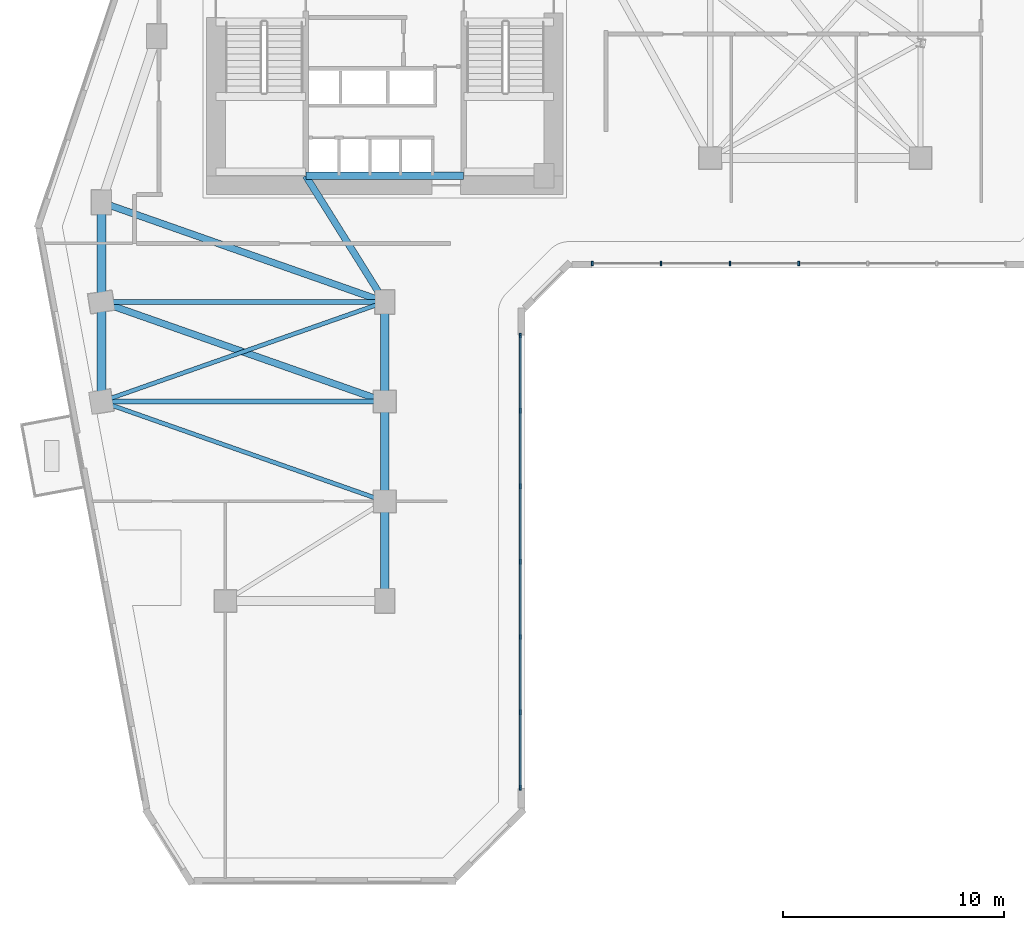
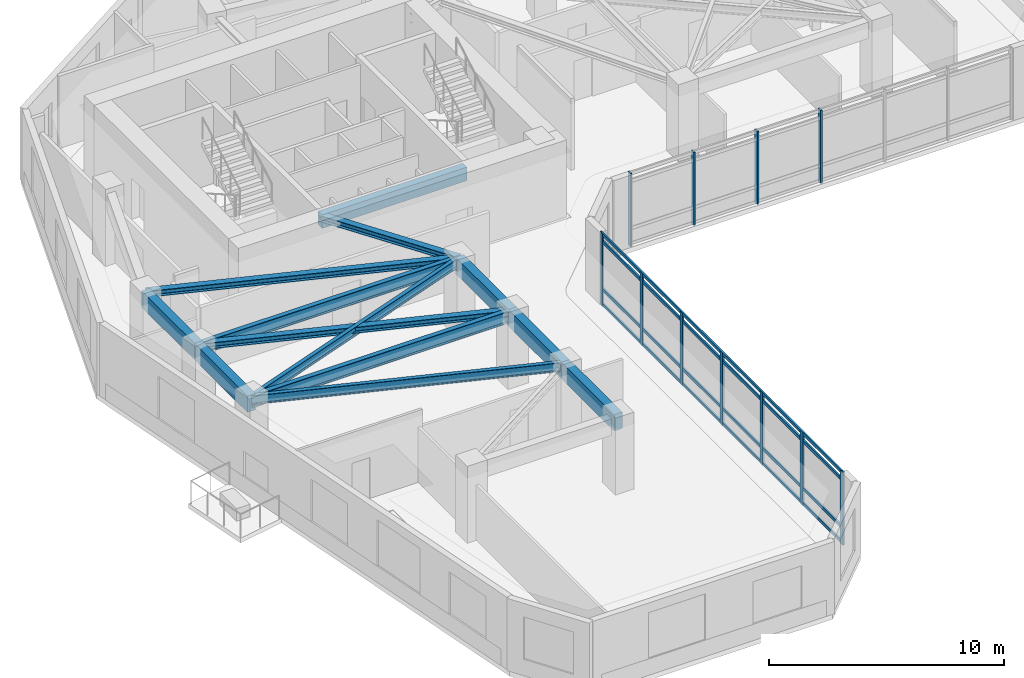
# One storey, part 2 of 9: 15 members, 13 beams, 2 elements without a shape of their own.
"""IFC4 building model written with IfcOpenShell, lengths in metres."""

import ifcopenshell
import ifcopenshell.guid

model = None  # the IFC model being written
_history = None  # IfcOwnerHistory: only IFC2X3 demands one
_inside = {}  # id of a spatial element -> (the spatial element, [elements in it])
_under = {}  # id of a project, library or spatial element -> (it, [spatial elements below it])
_declared = {}  # id of a project -> (the project, [libraries it declares])
_typed = {}  # id of a type object -> (the type object, [elements of that type])
_made_of = {}  # id of a material, layer set ... -> (it, [elements and type objects made of it])


def new_model(schema):
    """Start an empty IFC model of exactly this schema.

    Asked for "IFC4X3", IfcOpenShell would pick the latest addendum, in which some entities
    have other attributes; the version numbers below select the first issue.
    IFC2X3 requires an IfcOwnerHistory on every rooted entity: one is made here for all.
    """
    global model, _history
    if schema == "IFC4X3":
        model = ifcopenshell.file(schema_version=(4, 3, 0, 0))
    else:
        model = ifcopenshell.file(schema=schema)
    _inside.clear()
    _under.clear()
    _declared.clear()
    _typed.clear()
    _made_of.clear()
    _history = None
    if model.schema == "IFC2X3":
        org = make("IfcOrganization", Name="unknown")
        user = make(
            "IfcPersonAndOrganization",
            ThePerson=make("IfcPerson", FamilyName="unknown"),
            TheOrganization=org,
        )
        app = make(
            "IfcApplication",
            ApplicationDeveloper=org,
            Version="unknown",
            ApplicationFullName="unknown",
            ApplicationIdentifier="unknown",
        )
        _history = make(
            "IfcOwnerHistory",
            OwningUser=user,
            OwningApplication=app,
            ChangeAction="ADDED",
            CreationDate=0,
        )
    return model


def make(cls, **values):
    """One entity of the class cls with the attributes given. An attribute that is None is left unset."""
    return model.create_entity(
        cls, **{name: value for name, value in values.items() if value is not None}
    )


def rooted(cls, **values):
    """An entity with a GlobalId (a new one), such as an element, a storey or a relation."""
    return make(cls, GlobalId=ifcopenshell.guid.new(), OwnerHistory=_history, **values)


def si_unit(unit_type, name, prefix=None):
    """IfcSIUnit, for example si_unit("LENGTHUNIT", "METRE", prefix="MILLI")."""
    return make("IfcSIUnit", UnitType=unit_type, Prefix=prefix, Name=name)


def assignment(units):
    """IfcUnitAssignment: the units of a project."""
    return None if units is None else make("IfcUnitAssignment", Units=units)


def point(xyz):
    """IfcCartesianPoint."""
    return None if xyz is None else make("IfcCartesianPoint", Coordinates=xyz)


def direction(xyz):
    """IfcDirection."""
    return None if xyz is None else make("IfcDirection", DirectionRatios=xyz)


def frame(location, z_axis=None, x_axis=None):
    """IfcAxis2Placement3D, a coordinate frame: its origin and axes. An axis left out is left unset."""
    return make(
        "IfcAxis2Placement3D",
        Location=point(location),
        Axis=direction(z_axis),
        RefDirection=direction(x_axis),
    )


def frame_2d(location, x_axis=None):
    """IfcAxis2Placement2D, a coordinate frame in the plane: its origin and x axis."""
    return make(
        "IfcAxis2Placement2D", Location=point(location), RefDirection=direction(x_axis)
    )


def origin():
    """The frame at (0, 0, 0) with its axes left unset."""
    return frame((0.0, 0.0, 0.0))


def origin_2d():
    """The frame at (0, 0) in the plane with its x axis left unset."""
    return frame_2d((0.0, 0.0))


def place(relative_to, where):
    """IfcLocalPlacement: puts the frame where relative to a parent placement (None: the world)."""
    return make(
        "IfcLocalPlacement", PlacementRelTo=relative_to, RelativePlacement=where
    )


def context(
    kind, dimensions, precision=None, world=None, true_north=None, identifier=None
):
    """IfcGeometricRepresentationContext, for example the 3D "Model" context."""
    return make(
        "IfcGeometricRepresentationContext",
        ContextIdentifier=identifier,
        ContextType=kind,
        CoordinateSpaceDimension=dimensions,
        Precision=precision,
        WorldCoordinateSystem=world,
        TrueNorth=true_north,
    )


def subcontext(parent, identifier, kind, view, scale=None):
    """IfcGeometricRepresentationSubContext, for example "Body" below "Model"."""
    return make(
        "IfcGeometricRepresentationSubContext",
        ContextIdentifier=identifier,
        ContextType=kind,
        ParentContext=parent,
        TargetScale=scale,
        TargetView=view,
    )


def project(units=None, contexts=None):
    """IfcProject with its units and contexts."""
    return rooted(
        "IfcProject",
        Name="project",
        RepresentationContexts=contexts,
        UnitsInContext=assignment(units),
    )


def spatial(cls, under=None, at=None, **own):
    """A site, building, storey or space (cls), placed at a placement, below another one or the project."""
    s = rooted(cls, ObjectPlacement=at, **own)
    if under is not None:
        _under.setdefault(under.id(), (under, []))[1].append(s)
    return s


def profile(cls, at=None, kind="AREA", **sizes):
    """A parametric profile (cls). Its sizes go by their IFC names, for example OverallWidth=200.0."""
    return make(cls, ProfileType=kind, Position=at, **sizes)


def rectangle(**sizes):
    """IfcRectangleProfileDef."""
    return profile("IfcRectangleProfileDef", **sizes)


def i_section(**sizes):
    """IfcIShapeProfileDef."""
    return profile("IfcIShapeProfileDef", **sizes)


def extrude(swept, where, along, depth):
    """IfcExtrudedAreaSolid: the profile swept, set in the frame where, extruded along a direction by depth."""
    return make(
        "IfcExtrudedAreaSolid",
        SweptArea=swept,
        Position=where,
        ExtrudedDirection=direction(along),
        Depth=depth,
    )


def shape(context_of_items, identifier, shape_type, items):
    """IfcShapeRepresentation: the items that make up one representation, for example the "Body"."""
    return make(
        "IfcShapeRepresentation",
        ContextOfItems=context_of_items,
        RepresentationIdentifier=identifier,
        RepresentationType=shape_type,
        Items=items,
    )


def source(mapping_origin, context_of_items, identifier, shape_type, items):
    """IfcRepresentationMap: a shape defined once, which mapped items show again and again."""
    return make(
        "IfcRepresentationMap",
        MappingOrigin=mapping_origin,
        MappedRepresentation=shape(context_of_items, identifier, shape_type, items),
    )


def transform(
    local_origin,
    x_axis=None,
    y_axis=None,
    z_axis=None,
    scale=None,
    scale2=None,
    scale3=None,
    uniform=True,
):
    """IfcCartesianTransformationOperator3D, or its non-uniform kind. x_axis, y_axis, z_axis: its Axis1, 2, 3."""
    if uniform:
        return make(
            "IfcCartesianTransformationOperator3D",
            Axis1=direction(x_axis),
            Axis2=direction(y_axis),
            LocalOrigin=point(local_origin),
            Scale=scale,
            Axis3=direction(z_axis),
        )
    return make(
        "IfcCartesianTransformationOperator3DnonUniform",
        Axis1=direction(x_axis),
        Axis2=direction(y_axis),
        LocalOrigin=point(local_origin),
        Scale=scale,
        Axis3=direction(z_axis),
        Scale2=scale2,
        Scale3=scale3,
    )


def mapped(mapping_source, mapping_target):
    """IfcMappedItem: shows the shape of a source again, moved by a transform."""
    return make(
        "IfcMappedItem", MappingSource=mapping_source, MappingTarget=mapping_target
    )


def material(Name=None, Category=None):
    """IfcMaterial."""
    return make("IfcMaterial", Name=Name, Category=Category)


def material_profile(
    of_material, cross_section, Name=None, Category=None, Priority=None
):
    """IfcMaterialProfile: a cross section and its material."""
    return make(
        "IfcMaterialProfile",
        Name=Name,
        Material=of_material,
        Profile=cross_section,
        Priority=Priority,
        Category=Category,
    )


def profile_set(profiles, Name=None, composite=None):
    """IfcMaterialProfileSet."""
    return make(
        "IfcMaterialProfileSet",
        Name=Name,
        MaterialProfiles=profiles,
        CompositeProfile=composite,
    )


def made_of(thing, what):
    """Note that an element or type object is made of a material, layer set ...; save() writes the relation."""
    if what is not None:
        _made_of.setdefault(what.id(), (what, []))[1].append(thing)
    return thing


def type_object(cls, material=None, **own):
    """A type object (cls), such as IfcWallType, which elements share."""
    return made_of(rooted(cls, **own), material)


def element(
    cls,
    number,
    at=None,
    inside=None,
    cuts=None,
    type_object=None,
    material=None,
    context=None,
    identifier="Body",
    shape_type=None,
    held_by="IfcProductDefinitionShape",
    body=None,
    shapes=None,
    **own,
):
    """One element of the class cls, such as IfcWall. Its Tag is "e" and its number.

    at: its placement. inside: the storey or other place that contains it. cuts: it is an
    opening in that element (IfcRelVoidsElement). A single representation is given by context,
    identifier, shape_type and body (its items); several are given by shapes. held_by: the class
    of the entity that holds the representations. save() writes the other relations.
    """
    e = rooted(cls, Tag="e%d" % number, ObjectPlacement=at, **own)
    if body is not None:
        shapes = [shape(context, identifier, shape_type, body)]
    if shapes is not None:
        e.Representation = make(held_by, Representations=shapes)
    if inside is not None:
        _inside.setdefault(inside.id(), (inside, []))[1].append(e)
    if cuts is not None:
        rooted(
            "IfcRelVoidsElement", RelatingBuildingElement=cuts, RelatedOpeningElement=e
        )
    if type_object is not None:
        _typed.setdefault(type_object.id(), (type_object, []))[1].append(e)
    return made_of(e, material)


def aggregate(whole, parts):
    """IfcRelAggregates: a whole, such as a stair, and the parts it consists of."""
    return rooted("IfcRelAggregates", RelatingObject=whole, RelatedObjects=parts)


def save(model, path):
    """Write the relations noted so far, then the file.

    IfcRelAggregates (storeys below a building ...), IfcRelContainedInSpatialStructure (elements
    in a storey), IfcRelDefinesByType, IfcRelAssociatesMaterial and IfcRelDeclares: one each for
    every whole, place, type object, material and project.
    """
    for whole, parts in _under.values():
        aggregate(whole, parts)
    for where, things in _inside.values():
        rooted(
            "IfcRelContainedInSpatialStructure",
            RelatedElements=things,
            RelatingStructure=where,
        )
    for kind, things in _typed.values():
        rooted("IfcRelDefinesByType", RelatedObjects=things, RelatingType=kind)
    for what, things in _made_of.values():
        rooted("IfcRelAssociatesMaterial", RelatedObjects=things, RelatingMaterial=what)
    for by, libraries in _declared.values():
        rooted("IfcRelDeclares", RelatingContext=by, RelatedDefinitions=libraries)
    model.write(path)


model = new_model("IFC4")

# Units and contexts
model_context = context("Model", 3, precision=1e-05, world=origin(), true_north=direction((0.0, 1.0)))
body_context = subcontext(model_context, "Body", "Model", "MODEL_VIEW")
ifc_project = project(units=[si_unit("LENGTHUNIT", "METRE"), si_unit("AREAUNIT", "SQUARE_METRE"), si_unit("VOLUMEUNIT", "CUBIC_METRE"), si_unit("PLANEANGLEUNIT", "RADIAN"), si_unit("MASSUNIT", "GRAM", prefix="KILO")], contexts=[model_context])

# Site, building, storey
site_placement = place(None, origin())
site = spatial("IfcSite", under=ifc_project, at=site_placement, CompositionType="ELEMENT")
building_placement = place(site_placement, origin())
building = spatial("IfcBuilding", under=site, at=building_placement, Name="Calvemar Wedge Station Tower", CompositionType="ELEMENT")
storey_placement = place(building_placement, frame((0.0, 0.0, 67.0)))
storey = spatial("IfcBuildingStorey", under=building, at=storey_placement, Name="L16", CompositionType="ELEMENT", Elevation=67.0)

# Beams
ifc_material_1 = material(Name="Concrete C60", Category="concrete")
ifc_material_profile_1 = material_profile(ifc_material_1, rectangle(XDim=0.39990234375, YDim=0.85009765625, at=origin_2d()), Name="RC400x850")
ifc_profile_set_1 = profile_set([ifc_material_profile_1], Name="Concrete C60")
beam_type_1 = type_object("IfcBeamType", Name="BM-SP1-850", PredefinedType="SPANDREL", material=ifc_profile_set_1)
shared_shape_1 = source(origin(), body_context, "Body", "SweptSolid", [
    extrude(rectangle(XDim=0.39990234375, YDim=0.85009765625, at=origin_2d()), origin(), (0.0, 0.0, 1.0), 4.5),
])
for number, where, z_axis, x_axis, name in (
    (1, (11.0, 33.0, 3.324951171875), (0.0, -1.0, 0.0), (1.0, 0.0, 0.0), "Storey L16 Spandrel T-NW1-T-SW1"),
    (2, (11.0, 28.5, 3.324951171875), (0.0, -1.0, 0.0), (1.0, 0.0, 0.0), "Storey L16 Spandrel T-SW1-T-SW2"),
    (3, (23.800048828125, 28.5, 3.324951171875), (0.0, -1.0, 0.0), (1.0, 0.0, 0.0), "Storey L16 Spandrel T-SE1-T-SE2"),
    (4, (23.800048828125, 24.0, 3.324951171875), (0.0, -1.0, 0.0), (1.0, 0.0, 0.0), "Storey L16 Spandrel T-SE2-T-SE3"),
    (5, (23.800048828125, 19.5, 3.324951171875), (0.0, -1.0, 0.0), (1.0, 0.0, 0.0), "Storey L16 Spandrel T-SE3-T-SE4"),
):
    element("IfcBeam", number, at=place(storey_placement, frame(where, z_axis=z_axis, x_axis=x_axis)), inside=storey, type_object=beam_type_1, Name=name, PredefinedType="SPANDREL", context=body_context, shape_type="MappedRepresentation", body=[
        mapped(shared_shape_1, transform((0.0, 0.0, 0.0), scale=1.0)),
    ])
ifc_material_2 = material(Name="Structural steel ASTM A572 Grade 50", Category="steel")
ifc_material_profile_2 = material_profile(ifc_material_2, i_section(OverallWidth=0.22998046875, OverallDepth=0.616943359375, WebThickness=0.01318359375, FlangeThickness=0.022216796875, FilletRadius=0.012939453125, at=origin_2d()), Name="W610x140")
ifc_profile_set_2 = profile_set([ifc_material_profile_2], Name="Structural steel ASTM A572 Grade 50")
beam_type_2 = type_object("IfcBeamType", Name="BM-SB2-W610", PredefinedType="BEAM", material=ifc_profile_set_2)
shared_shape_2 = source(origin(), body_context, "Body", "SweptSolid", [
    extrude(i_section(OverallWidth=0.22998046875, OverallDepth=0.616943359375, WebThickness=0.01318359375, FlangeThickness=0.022216796875, FilletRadius=0.012939453125, at=origin_2d()), origin(), (0.0, 0.0, 1.0), 12.800048828125),
])
for number, where, z_axis, x_axis, name in (
    (6, (11.0, 28.5, 3.44140625), (1.0, 0.0, 0.0), (0.0, 1.0, 0.0), "Storey L16 Floor Beam T-SW1-T-SE1"),
    (7, (11.0, 24.0, 3.44140625), (1.0, 0.0, 0.0), (0.0, 1.0, 0.0), "Storey L16 Floor Beam T-SW2-T-SE2"),
):
    element("IfcBeam", number, at=place(storey_placement, frame(where, z_axis=z_axis, x_axis=x_axis)), inside=storey, type_object=beam_type_2, Name=name, PredefinedType="BEAM", context=body_context, shape_type="MappedRepresentation", body=[
        mapped(shared_shape_2, transform((0.0, 0.0, 0.0), scale=1.0)),
    ])
ifc_material_3 = material(Name="Concrete C70", Category="concrete")
ifc_material_profile_3 = material_profile(ifc_material_3, rectangle(XDim=0.35009765625, YDim=0.699951171875, at=origin_2d()), Name="RC350x700")
ifc_profile_set_3 = profile_set([ifc_material_profile_3], Name="Concrete C70")
beam_type_3 = type_object("IfcBeamType", Name="BM-LN1-700", PredefinedType="LINTEL", material=ifc_profile_set_3)
shared_shape_3 = source(origin(), body_context, "Body", "SweptSolid", [
    extrude(rectangle(XDim=0.35009765625, YDim=0.699951171875, at=origin_2d()), origin(), (0.0, 0.0, 1.0), 7.10009765625),
])
beam_1_placement = place(storey_placement, frame((20.25, 34.199951171875, 3.39990234375), z_axis=(1.0, 0.0, 0.0), x_axis=(0.0, 1.0, 0.0)))
element("IfcBeam", 8, at=beam_1_placement, inside=storey, type_object=beam_type_3, Name="Storey L16 Core Coupling Lintel South", PredefinedType="LINTEL", context=body_context, shape_type="MappedRepresentation", body=[
    mapped(shared_shape_3, transform((0.0, 0.0, 0.0), scale=1.0)),
])
ifc_material_profile_4 = material_profile(ifc_material_2, i_section(OverallWidth=0.30908203125, OverallDepth=0.322998046875, WebThickness=0.013916015625, FlangeThickness=0.02294921875, FilletRadius=0.014892578125, at=origin_2d()), Name="W310x143")
ifc_profile_set_4 = profile_set([ifc_material_profile_4], Name="Structural steel ASTM A572 Grade 50")
beam_type_4 = type_object("IfcBeamType", Name="BM-J5-W310H", PredefinedType="JOIST", material=ifc_profile_set_4)
shared_shape_4 = source(origin(), body_context, "Body", "SweptSolid", [
    extrude(i_section(OverallWidth=0.30908203125, OverallDepth=0.322998046875, WebThickness=0.013916015625, FlangeThickness=0.02294921875, FilletRadius=0.014892578125, at=origin_2d()), origin(), (0.0, 0.0, 1.0), 13.568115234375),
])
for number, where, z_axis, x_axis, name in (
    (9, (11.0, 33.0, 3.58837890625), (0.943398221169, -0.331662171939, 0.0), (0.331662171939, 0.943398221169, 0.0), "Storey L16 Floor Beam T-NW1-T-SE1"),
    (10, (11.0, 28.5, 3.58837890625), (0.943398221169, -0.331662171939, 0.0), (0.331662171939, 0.943398221169, 0.0), "Storey L16 Floor Beam T-SW1-T-SE2"),
):
    element("IfcBeam", number, at=place(storey_placement, frame(where, z_axis=z_axis, x_axis=x_axis)), inside=storey, type_object=beam_type_4, Name=name, PredefinedType="JOIST", context=body_context, shape_type="MappedRepresentation", body=[
        mapped(shared_shape_4, transform((0.0, 0.0, 0.0), scale=1.0)),
    ])
ifc_material_profile_5 = material_profile(ifc_material_2, i_section(OverallWidth=0.19189453125, OverallDepth=0.462890625, WebThickness=0.010498046875, FlangeThickness=0.017578125, FilletRadius=0.012939453125, at=origin_2d()), Name="W460x89")
ifc_profile_set_5 = profile_set([ifc_material_profile_5], Name="Structural steel ASTM A572 Grade 50")
beam_type_5 = type_object("IfcBeamType", Name="BM-J1-W460", PredefinedType="JOIST", material=ifc_profile_set_5)
shared_shape_5 = source(origin(), body_context, "Body", "SweptSolid", [
    extrude(i_section(OverallWidth=0.19189453125, OverallDepth=0.462890625, WebThickness=0.010498046875, FlangeThickness=0.017578125, FilletRadius=0.012939453125, at=origin_2d()), origin(), (0.0, 0.0, 1.0), 13.568115234375),
])
for number, where, z_axis, x_axis, name in (
    (11, (23.800048828125, 28.5, 3.5185546875), (-0.943398221169, -0.331662171939, 0.0), (0.331662171939, -0.943398221169, 0.0), "Storey L16 Floor Beam T-SE1-T-SW2"),
    (12, (11.0, 24.0, 3.5185546875), (0.943398221169, -0.331662171939, 0.0), (0.331662171939, 0.943398221169, 0.0), "Storey L16 Floor Beam T-SW2-T-SE3"),
):
    element("IfcBeam", number, at=place(storey_placement, frame(where, z_axis=z_axis, x_axis=x_axis)), inside=storey, type_object=beam_type_5, Name=name, PredefinedType="JOIST", context=body_context, shape_type="MappedRepresentation", body=[
        mapped(shared_shape_5, transform((0.0, 0.0, 0.0), scale=1.0)),
    ])
shared_shape_6 = source(origin(), body_context, "Body", "SweptSolid", [
    extrude(i_section(OverallWidth=0.30908203125, OverallDepth=0.322998046875, WebThickness=0.013916015625, FlangeThickness=0.02294921875, FilletRadius=0.014892578125, at=origin_2d()), origin(), (0.0, 0.0, 1.0), 6.7255859375),
])
beam_2_placement = place(storey_placement, frame((20.22998046875, 34.199951171875, 3.58837890625), z_axis=(0.530811158438, -0.847490126242, 0.0), x_axis=(0.847490126242, 0.530811158438, 0.0)))
element("IfcBeam", 13, at=beam_2_placement, inside=storey, type_object=beam_type_4, Name="Storey L16 Core-to-Column Joist CJ-S2", PredefinedType="JOIST", context=body_context, shape_type="MappedRepresentation", body=[
    mapped(shared_shape_6, transform((0.0, 0.0, 0.0), scale=1.0)),
])

# Curtain wall, members
ifc_material_4 = material(Name="Anodised aluminium 6063-T6", Category="aluminium")
curtain_wall_type = type_object("IfcCurtainWallType", Name="CW1", PredefinedType="NOTDEFINED", material=ifc_material_4)
curtain_wall_1_placement = place(storey_placement, origin())
curtain_wall_1 = element("IfcCurtainWall", 14, at=curtain_wall_1_placement, inside=storey, type_object=curtain_wall_type, Name="Storey L16 CW1 Recessed Unitised Curtain Wall 4", PredefinedType="NOTDEFINED")
ifc_material_profile_6 = material_profile(ifc_material_4, rectangle(XDim=0.080078125, YDim=0.219970703125, at=origin_2d()), Name="AL-MUL-80x220")
ifc_profile_set_6 = profile_set([ifc_material_profile_6], Name="Anodised aluminium 6063-T6")
member_type_1 = type_object("IfcMemberType", Name="CW1-MUL", PredefinedType="MULLION", material=ifc_profile_set_6)
shared_shape_7 = source(origin(), body_context, "Body", "SweptSolid", [
    extrude(rectangle(XDim=0.080078125, YDim=0.219970703125, at=origin_2d()), origin(), (0.0, 0.0, 1.0), 3.800048828125),
])
member_1_placement = place(storey_placement, frame((29.91796875, 6.56201171875, -0.050048828125), z_axis=(0.0, 0.0, 1.0), x_axis=(1.0, 0.0, 0.0)))
member_1 = element("IfcMember", 15, at=member_1_placement, type_object=member_type_1, Name="CW1 mullion 1", PredefinedType="MULLION", context=body_context, shape_type="MappedRepresentation", body=[
    mapped(shared_shape_7, transform((0.0, 0.0, 0.0), scale=1.0)),
])
member_2_placement = place(storey_placement, frame((29.91796875, 9.966796875, -0.050048828125), z_axis=(0.0, 0.0, 1.0), x_axis=(1.0, 0.0, 0.0)))
member_2 = element("IfcMember", 16, at=member_2_placement, type_object=member_type_1, Name="CW1 mullion 2", PredefinedType="MULLION", context=body_context, shape_type="MappedRepresentation", body=[
    mapped(shared_shape_7, transform((0.0, 0.0, 0.0), scale=1.0)),
])
member_3_placement = place(storey_placement, frame((29.91796875, 13.371337890625, -0.050048828125), z_axis=(0.0, 0.0, 1.0), x_axis=(1.0, 0.0, 0.0)))
member_3 = element("IfcMember", 17, at=member_3_placement, type_object=member_type_1, Name="CW1 mullion 3", PredefinedType="MULLION", context=body_context, shape_type="MappedRepresentation", body=[
    mapped(shared_shape_7, transform((0.0, 0.0, 0.0), scale=1.0)),
])
member_4_placement = place(storey_placement, frame((29.91796875, 16.776123046875, -0.050048828125), z_axis=(0.0, 0.0, 1.0), x_axis=(1.0, 0.0, 0.0)))
member_4 = element("IfcMember", 18, at=member_4_placement, type_object=member_type_1, Name="CW1 mullion 4", PredefinedType="MULLION", context=body_context, shape_type="MappedRepresentation", body=[
    mapped(shared_shape_7, transform((0.0, 0.0, 0.0), scale=1.0)),
])
member_5_placement = place(storey_placement, frame((29.91796875, 20.180908203125, -0.050048828125), z_axis=(0.0, 0.0, 1.0), x_axis=(1.0, 0.0, 0.0)))
member_5 = element("IfcMember", 19, at=member_5_placement, type_object=member_type_1, Name="CW1 mullion 5", PredefinedType="MULLION", context=body_context, shape_type="MappedRepresentation", body=[
    mapped(shared_shape_7, transform((0.0, 0.0, 0.0), scale=1.0)),
])
member_6_placement = place(storey_placement, frame((29.91796875, 23.58544921875, -0.050048828125), z_axis=(0.0, 0.0, 1.0), x_axis=(1.0, 0.0, 0.0)))
member_6 = element("IfcMember", 20, at=member_6_placement, type_object=member_type_1, Name="CW1 mullion 6", PredefinedType="MULLION", context=body_context, shape_type="MappedRepresentation", body=[
    mapped(shared_shape_7, transform((0.0, 0.0, 0.0), scale=1.0)),
])
member_7_placement = place(storey_placement, frame((29.91796875, 26.989990234375, -0.050048828125), z_axis=(0.0, 0.0, 1.0), x_axis=(1.0, 0.0, 0.0)))
member_7 = element("IfcMember", 21, at=member_7_placement, type_object=member_type_1, Name="CW1 mullion 7", PredefinedType="MULLION", context=body_context, shape_type="MappedRepresentation", body=[
    mapped(shared_shape_7, transform((0.0, 0.0, 0.0), scale=1.0)),
])

curtain_wall_2_placement = place(storey_placement, origin())
curtain_wall_2 = element("IfcCurtainWall", 22, at=curtain_wall_2_placement, inside=storey, type_object=curtain_wall_type, Name="Storey L16 CW1 Recessed Unitised Curtain Wall 6", PredefinedType="NOTDEFINED")
member_8_placement = place(storey_placement, frame((33.166015625, 30.238037109375, -0.050048828125), z_axis=(0.0, 0.0, 1.0), x_axis=(1.0, 0.0, 0.0)))
member_8 = element("IfcMember", 23, at=member_8_placement, type_object=member_type_1, Name="CW1 mullion 1", PredefinedType="MULLION", context=body_context, shape_type="MappedRepresentation", body=[
    mapped(shared_shape_7, transform((0.0, 0.0, 0.0), scale=1.0)),
])
member_9_placement = place(storey_placement, frame((36.27783203125, 30.238037109375, -0.050048828125), z_axis=(0.0, 0.0, 1.0), x_axis=(1.0, 0.0, 0.0)))
member_9 = element("IfcMember", 24, at=member_9_placement, type_object=member_type_1, Name="CW1 mullion 2", PredefinedType="MULLION", context=body_context, shape_type="MappedRepresentation", body=[
    mapped(shared_shape_7, transform((0.0, 0.0, 0.0), scale=1.0)),
])
member_10_placement = place(storey_placement, frame((39.389892578125, 30.238037109375, -0.050048828125), z_axis=(0.0, 0.0, 1.0), x_axis=(1.0, 0.0, 0.0)))
member_10 = element("IfcMember", 25, at=member_10_placement, type_object=member_type_1, Name="CW1 mullion 3", PredefinedType="MULLION", context=body_context, shape_type="MappedRepresentation", body=[
    mapped(shared_shape_7, transform((0.0, 0.0, 0.0), scale=1.0)),
])
member_11_placement = place(storey_placement, frame((42.501953125, 30.238037109375, -0.050048828125), z_axis=(0.0, 0.0, 1.0), x_axis=(1.0, 0.0, 0.0)))
member_11 = element("IfcMember", 26, at=member_11_placement, type_object=member_type_1, Name="CW1 mullion 4", PredefinedType="MULLION", context=body_context, shape_type="MappedRepresentation", body=[
    mapped(shared_shape_7, transform((0.0, 0.0, 0.0), scale=1.0)),
])
aggregate(curtain_wall_2, [member_8, member_9, member_10, member_11])

# Member
ifc_material_profile_7 = material_profile(ifc_material_4, rectangle(XDim=0.080078125, YDim=0.159912109375, at=origin_2d()), Name="AL-TRN-80x160")
ifc_profile_set_7 = profile_set([ifc_material_profile_7], Name="Anodised aluminium 6063-T6")
member_type_2 = type_object("IfcMemberType", Name="CW1-TRN", PredefinedType="USERDEFINED", material=ifc_profile_set_7)
shared_shape_8 = source(origin(), body_context, "Body", "SweptSolid", [
    extrude(rectangle(XDim=0.080078125, YDim=0.159912109375, at=origin_2d()), origin(), (0.0, 0.0, 1.0), 20.427978515625),
])
member_12_placement = place(storey_placement, frame((29.91796875, 6.56201171875, 0.06005859375), z_axis=(0.0, 1.0, 0.0), x_axis=(-1.0, 0.0, 0.0)))
member_12 = element("IfcMember", 27, at=member_12_placement, type_object=member_type_2, Name="CW1 transom 1", ObjectType="TRANSOM", PredefinedType="USERDEFINED", context=body_context, shape_type="MappedRepresentation", body=[
    mapped(shared_shape_8, transform((0.0, 0.0, 0.0), scale=1.0)),
])

member_13_placement = place(storey_placement, frame((29.91796875, 6.56201171875, 0.85009765625), z_axis=(0.0, 1.0, 0.0), x_axis=(-1.0, 0.0, 0.0)))
member_13 = element("IfcMember", 28, at=member_13_placement, type_object=member_type_2, Name="CW1 transom 2", ObjectType="TRANSOM", PredefinedType="USERDEFINED", context=body_context, shape_type="MappedRepresentation", body=[
    mapped(shared_shape_8, transform((0.0, 0.0, 0.0), scale=1.0)),
])

member_14_placement = place(storey_placement, frame((29.91796875, 6.56201171875, 3.300048828125), z_axis=(0.0, 1.0, 0.0), x_axis=(-1.0, 0.0, 0.0)))
member_14 = element("IfcMember", 29, at=member_14_placement, type_object=member_type_2, Name="CW1 transom 3", ObjectType="TRANSOM", PredefinedType="USERDEFINED", context=body_context, shape_type="MappedRepresentation", body=[
    mapped(shared_shape_8, transform((0.0, 0.0, 0.0), scale=1.0)),
])

member_15_placement = place(storey_placement, frame((29.91796875, 6.56201171875, 3.68994140625), z_axis=(0.0, 1.0, 0.0), x_axis=(-1.0, 0.0, 0.0)))
member_15 = element("IfcMember", 30, at=member_15_placement, type_object=member_type_2, Name="CW1 transom 4", ObjectType="TRANSOM", PredefinedType="USERDEFINED", context=body_context, shape_type="MappedRepresentation", body=[
    mapped(shared_shape_8, transform((0.0, 0.0, 0.0), scale=1.0)),
])

aggregate(curtain_wall_1, [member_1, member_2, member_3, member_4, member_5, member_6, member_7, member_12, member_13, member_14, member_15])

save(model, "model.ifc")
